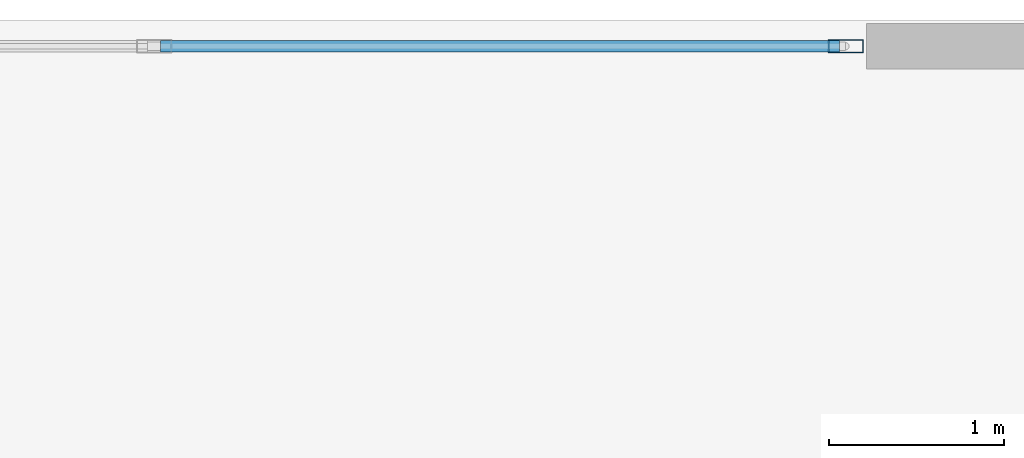
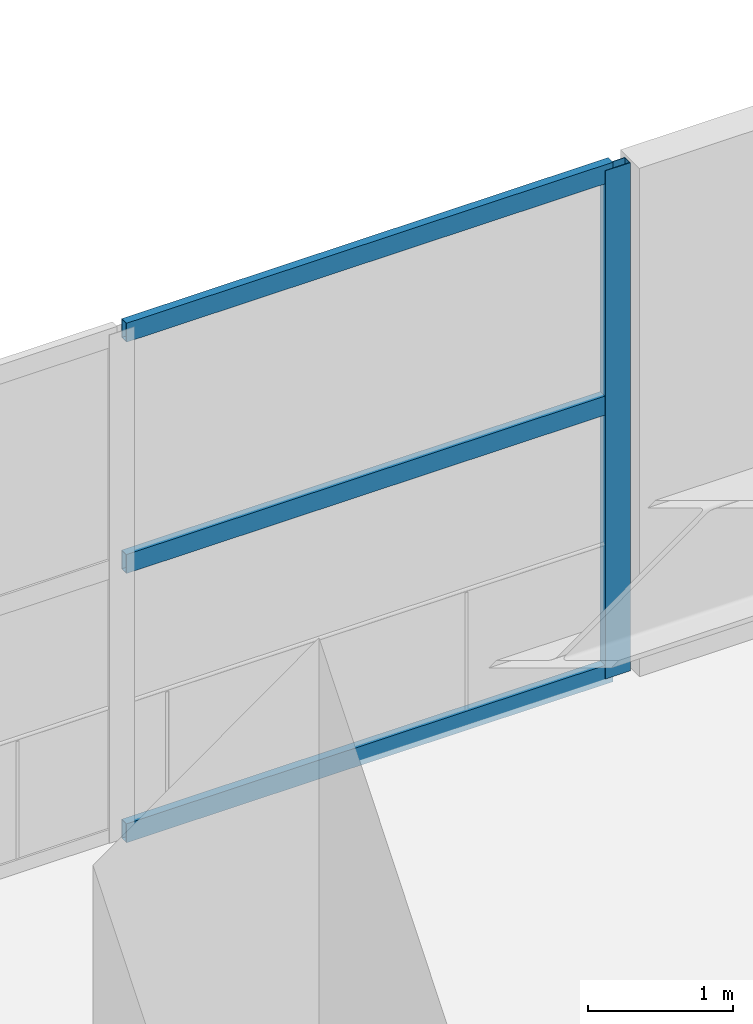
# One storey, part 9 of 20: 4 members, 1 element without a shape of its own.
"""IFC4 building model written with IfcOpenShell, lengths in metres."""

from ifc_helpers import new_model, si_unit, direction, frame, origin, origin_2d, place, context, subcontext, project, spatial, hollow_rectangle, extrude, material, layer, layer_set, material_profile, profile_set, type_object, element, aggregate, save


model = new_model("IFC4")

# Units and contexts
model_context = context("Model", 3, precision=1e-05, world=origin(), true_north=direction((0.0, 1.0)))
body_context = subcontext(model_context, "Body", "Model", "MODEL_VIEW")
ifc_project = project(units=[si_unit("LENGTHUNIT", "METRE"), si_unit("AREAUNIT", "SQUARE_METRE"), si_unit("VOLUMEUNIT", "CUBIC_METRE"), si_unit("PLANEANGLEUNIT", "RADIAN"), si_unit("MASSUNIT", "GRAM", prefix="KILO")], contexts=[model_context])

# Site, building, storey
site_placement = place(None, origin())
site = spatial("IfcSite", under=ifc_project, at=site_placement, CompositionType="ELEMENT")
building_placement = place(site_placement, origin())
building = spatial("IfcBuilding", under=site, at=building_placement, Name="Solvane Sanctuary Tower", CompositionType="ELEMENT")
storey_placement = place(building_placement, frame((0.0, 0.0, 18.39990234375)))
storey = spatial("IfcBuildingStorey", under=building, at=storey_placement, Name="L05", CompositionType="ELEMENT", Elevation=18.39990234375)

# Curtain wall, members
ifc_material = material(Name="Anodised Aluminium 6063-T6", Category="aluminium")
ifc_layer = layer(ifc_material, 0.159912109375, Name="Anodised Aluminium 6063-T6")
ifc_layer_set = layer_set([ifc_layer], Name="Anodised Aluminium 6063-T6")
curtain_wall_type = type_object("IfcCurtainWallType", Name="Curtain Wall CW-POD", PredefinedType="NOTDEFINED", material=ifc_layer_set)
curtain_wall_placement = place(storey_placement, origin())
curtain_wall = element("IfcCurtainWall", 1, at=curtain_wall_placement, inside=storey, type_object=curtain_wall_type, Name="L05 Sanctuary Curtain Wall N2", PredefinedType="NOTDEFINED")
ifc_material_profile_1 = material_profile(ifc_material, hollow_rectangle(XDim=0.074951171875, YDim=0.199951171875, WallThickness=0.00390625, at=origin_2d()), Name="ALU200X75X4")
ifc_profile_set_1 = profile_set([ifc_material_profile_1], Name="Anodised Aluminium 6063-T6")
member_type_1 = type_object("IfcMemberType", Name="Member M-CW-MUL-1 ALU200X75X4", PredefinedType="MULLION", material=ifc_profile_set_1)
member_1_placement = place(storey_placement, frame((43.96240234375, 45.85009765625, 0.0), z_axis=(0.0, 0.0, 1.0), x_axis=(0.0, -1.0, 0.0)))
member_1 = element("IfcMember", 2, at=member_1_placement, type_object=member_type_1, Name="CW-POD mullion 1", PredefinedType="MULLION", context=body_context, shape_type="SweptSolid", body=[
    extrude(hollow_rectangle(XDim=0.074951171875, YDim=0.199951171875, WallThickness=0.00390625, at=origin_2d()), origin(), (0.0, 0.0, 1.0), 4.280029296875),
])
ifc_material_profile_2 = material_profile(ifc_material, hollow_rectangle(XDim=0.06494140625, YDim=0.159912109375, WallThickness=0.00341796875, at=origin_2d()), Name="ALU160X65X3.5")
ifc_profile_set_2 = profile_set([ifc_material_profile_2], Name="Anodised Aluminium 6063-T6")
member_type_2 = type_object("IfcMemberType", Name="Member M-CW-TRN-1 ALU160X65X3.5", PredefinedType="USERDEFINED", material=ifc_profile_set_2)
member_2_placement = place(storey_placement, frame((43.925048828125, 45.85009765625, 0.03271484375), z_axis=(-1.0, 0.0, 0.0), x_axis=(0.0, -1.0, 0.0)))
member_2 = element("IfcMember", 3, at=member_2_placement, type_object=member_type_2, Name="CW-POD transom 1.1", ObjectType="TRANSOM", PredefinedType="USERDEFINED", context=body_context, shape_type="SweptSolid", body=[
    extrude(hollow_rectangle(XDim=0.06494140625, YDim=0.159912109375, WallThickness=0.00341796875, at=origin_2d()), origin(), (0.0, 0.0, 1.0), 3.874267578125),
])
member_3_placement = place(storey_placement, frame((43.925048828125, 45.85009765625, 2.300048828125), z_axis=(-1.0, 0.0, 0.0), x_axis=(0.0, -1.0, 0.0)))
member_3 = element("IfcMember", 4, at=member_3_placement, type_object=member_type_2, Name="CW-POD transom 1.2", ObjectType="TRANSOM", PredefinedType="USERDEFINED", context=body_context, shape_type="SweptSolid", body=[
    extrude(hollow_rectangle(XDim=0.06494140625, YDim=0.159912109375, WallThickness=0.00341796875, at=origin_2d()), origin(), (0.0, 0.0, 1.0), 3.874267578125),
])
member_4_placement = place(storey_placement, frame((43.925048828125, 45.85009765625, 4.24755859375), z_axis=(-1.0, 0.0, 0.0), x_axis=(0.0, -1.0, 0.0)))
member_4 = element("IfcMember", 5, at=member_4_placement, type_object=member_type_2, Name="CW-POD transom 1.3", ObjectType="TRANSOM", PredefinedType="USERDEFINED", context=body_context, shape_type="SweptSolid", body=[
    extrude(hollow_rectangle(XDim=0.06494140625, YDim=0.159912109375, WallThickness=0.00341796875, at=origin_2d()), origin(), (0.0, 0.0, 1.0), 3.874267578125),
])
aggregate(curtain_wall, [member_1, member_2, member_3, member_4])

save(model, "model.ifc")
